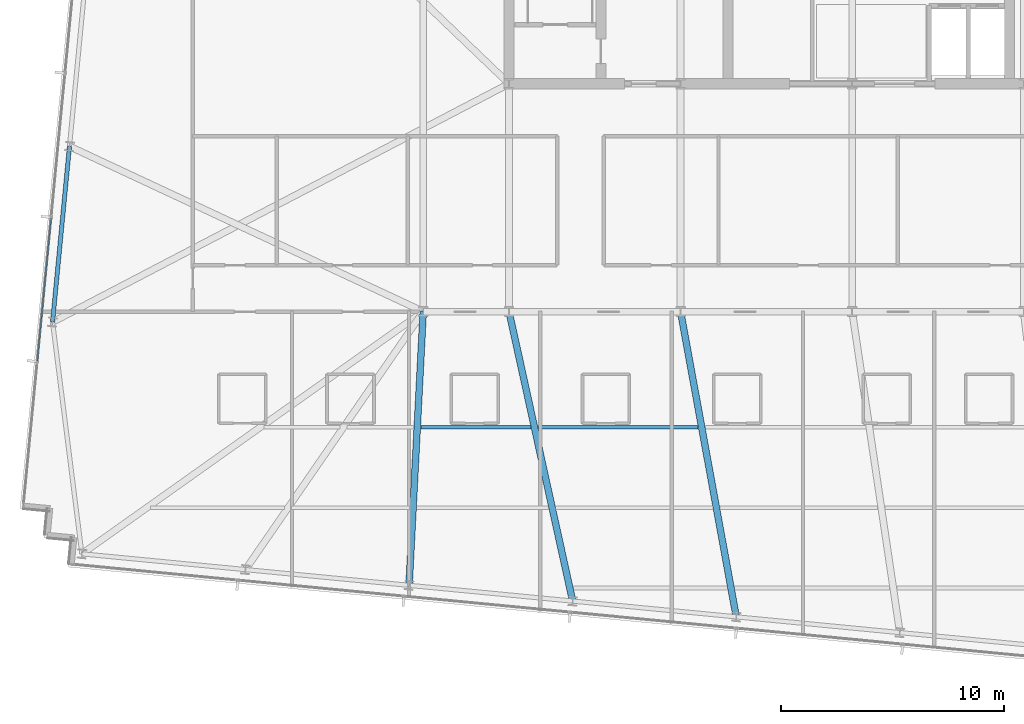
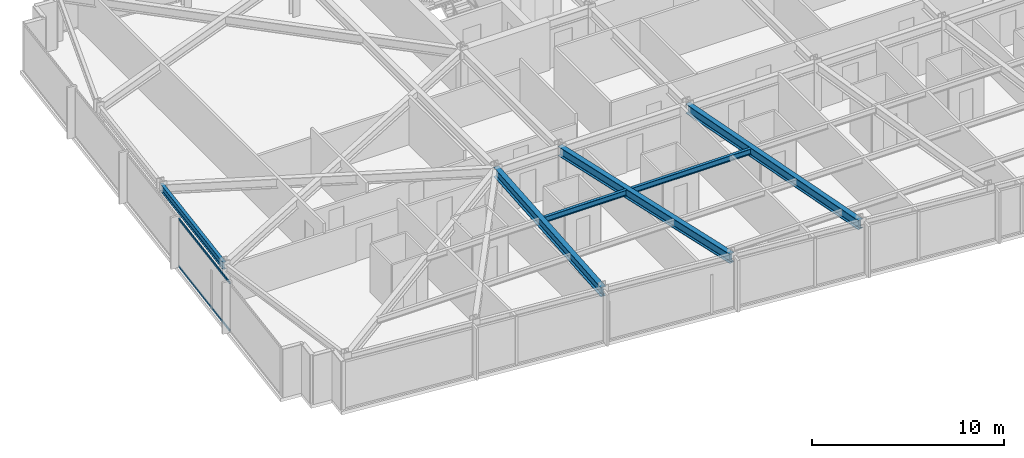
# One storey, part 7 of 38: 6 beams, 2 members, 1 element without a shape of its own.
"""IFC4 building model written with IfcOpenShell, lengths in metres."""

from ifc_helpers import new_model, si_unit, direction, frame, origin, origin_2d, place, context, subcontext, project, spatial, hollow_rectangle, i_section, extrude, material, material_profile, profile_set, type_object, element, aggregate, save


model = new_model("IFC4")

# Units and contexts
model_context = context("Model", 3, precision=1e-05, world=origin(), true_north=direction((0.0, 1.0)))
body_context = subcontext(model_context, "Body", "Model", "MODEL_VIEW")
ifc_project = project(units=[si_unit("LENGTHUNIT", "METRE"), si_unit("AREAUNIT", "SQUARE_METRE"), si_unit("VOLUMEUNIT", "CUBIC_METRE"), si_unit("PLANEANGLEUNIT", "RADIAN"), si_unit("MASSUNIT", "GRAM", prefix="KILO")], contexts=[model_context])

# Site, building, storey
site_placement = place(None, origin())
site = spatial("IfcSite", under=ifc_project, at=site_placement, CompositionType="ELEMENT")
building_placement = place(site_placement, origin())
building = spatial("IfcBuilding", under=site, at=building_placement, Name="Yelkora Congress Tower", CompositionType="ELEMENT")
storey_placement = place(building_placement, frame((0.0, 0.0, 155.60009765625)))
storey = spatial("IfcBuildingStorey", under=building, at=storey_placement, Name="L42", CompositionType="ELEMENT", Elevation=155.60009765625)

# Beams
ifc_material_1 = material(Name="Steel S355J2", Category="steel")
ifc_material_profile_1 = material_profile(ifc_material_1, i_section(OverallWidth=0.300048828125, OverallDepth=0.60009765625, WebThickness=0.015380859375, FlangeThickness=0.030029296875, FilletRadius=0.027099609375, at=origin_2d()), Name="HEB 600")
ifc_profile_set_1 = profile_set([ifc_material_profile_1], Name="Steel S355J2")
beam_type_1 = type_object("IfcBeamType", Name="BM-GIRD-HEB600", PredefinedType="BEAM", material=ifc_profile_set_1)
beam_1_placement = place(storey_placement, frame((18.56591796875, 12.947021484375, 2.77978515625), z_axis=(0.051676299428, 0.99866388744, 0.0), x_axis=(-0.99866388744, 0.051676299428, 0.0)))
element("IfcBeam", 1, at=beam_1_placement, inside=storey, type_object=beam_type_1, Name="L42 Primary Frame Girder S03", PredefinedType="BEAM", context=body_context, shape_type="SweptSolid", body=[
    extrude(i_section(OverallWidth=0.300048828125, OverallDepth=0.60009765625, WebThickness=0.015380859375, FlangeThickness=0.030029296875, FilletRadius=0.027099609375, at=origin_2d()), origin(), (0.0, 0.0, 1.0), 12.269287109375),
])
beam_2_placement = place(storey_placement, frame((25.888916015625, 12.24169921875, 2.77978515625), z_axis=(-0.214722420774, 0.976675115899, 0.0), x_axis=(-0.976675115899, -0.214722420774, 0.0)))
element("IfcBeam", 2, at=beam_2_placement, inside=storey, type_object=beam_type_1, Name="L42 Primary Frame Girder S04", PredefinedType="BEAM", context=body_context, shape_type="SweptSolid", body=[
    extrude(i_section(OverallWidth=0.300048828125, OverallDepth=0.60009765625, WebThickness=0.015380859375, FlangeThickness=0.030029296875, FilletRadius=0.027099609375, at=origin_2d()), origin(), (0.0, 0.0, 1.0), 13.267822265625),
])
beam_3_placement = place(storey_placement, frame((33.21240234375, 11.53662109375, 2.77978515625), z_axis=(-0.179456208566, 0.983765962619, 0.0), x_axis=(-0.983765962619, -0.179456208566, 0.0)))
element("IfcBeam", 3, at=beam_3_placement, inside=storey, type_object=beam_type_1, Name="L42 Primary Frame Girder S05", PredefinedType="BEAM", context=body_context, shape_type="SweptSolid", body=[
    extrude(i_section(OverallWidth=0.300048828125, OverallDepth=0.60009765625, WebThickness=0.015380859375, FlangeThickness=0.030029296875, FilletRadius=0.027099609375, at=origin_2d()), origin(), (0.0, 0.0, 1.0), 13.888916015625),
])
ifc_material_profile_2 = material_profile(ifc_material_1, i_section(OverallWidth=0.169921875, OverallDepth=0.360107421875, WebThickness=0.008056640625, FlangeThickness=0.0126953125, FilletRadius=0.01806640625, at=origin_2d()), Name="IPE 360")
ifc_profile_set_2 = profile_set([ifc_material_profile_2], Name="Steel S355J2")
beam_type_2 = type_object("IfcBeamType", Name="BM-JOIST-IPE360", PredefinedType="JOIST", material=ifc_profile_set_2)
beam_4_placement = place(storey_placement, frame((19.092041015625, 20.021240234375, 2.89990234375), z_axis=(1.0, 0.0, 0.0), x_axis=(0.0, 1.0, 0.0)))
element("IfcBeam", 4, at=beam_4_placement, inside=storey, type_object=beam_type_2, Name="L42 Composite Floor Joist 14", PredefinedType="JOIST", context=body_context, shape_type="SweptSolid", body=[
    extrude(i_section(OverallWidth=0.169921875, OverallDepth=0.360107421875, WebThickness=0.008056640625, FlangeThickness=0.0126953125, FilletRadius=0.01806640625, at=origin_2d()), origin(), (0.0, 0.0, 1.0), 4.926513671875),
])
beam_5_placement = place(storey_placement, frame((24.338623046875, 20.021240234375, 2.89990234375), z_axis=(1.0, 0.0, 0.0), x_axis=(0.0, 1.0, 0.0)))
element("IfcBeam", 5, at=beam_5_placement, inside=storey, type_object=beam_type_2, Name="L42 Composite Floor Joist 15", PredefinedType="JOIST", context=body_context, shape_type="SweptSolid", body=[
    extrude(i_section(OverallWidth=0.169921875, OverallDepth=0.360107421875, WebThickness=0.008056640625, FlangeThickness=0.0126953125, FilletRadius=0.01806640625, at=origin_2d()), origin(), (0.0, 0.0, 1.0), 7.166015625),
])
ifc_material_profile_3 = material_profile(ifc_material_1, i_section(OverallWidth=0.18994140625, OverallDepth=0.449951171875, WebThickness=0.009521484375, FlangeThickness=0.0146484375, FilletRadius=0.02099609375, at=origin_2d()), Name="IPE 450")
ifc_profile_set_3 = profile_set([ifc_material_profile_3], Name="Steel S355J2")
beam_type_3 = type_object("IfcBeamType", Name="BM-SPAN-IPE450", PredefinedType="SPANDREL", material=ifc_profile_set_3)
beam_6_placement = place(storey_placement, frame((3.364501953125, 32.594482421875, 2.85498046875), z_axis=(-0.095831353931, -0.995397584689, 0.0), x_axis=(0.995397584689, -0.095831353931, 0.0)))
element("IfcBeam", 6, at=beam_6_placement, inside=storey, type_object=beam_type_3, Name="L42 Perimeter Beam 18", PredefinedType="SPANDREL", context=body_context, shape_type="SweptSolid", body=[
    extrude(i_section(OverallWidth=0.18994140625, OverallDepth=0.449951171875, WebThickness=0.009521484375, FlangeThickness=0.0146484375, FilletRadius=0.02099609375, at=origin_2d()), origin(), (0.0, 0.0, 1.0), 7.900146484375),
])

# Curtain wall, members
ifc_material_2 = material(Name="Anodised aluminium and insulated glass", Category="aluminium")
curtain_wall_type = type_object("IfcCurtainWallType", Name="CW-SYS-B3", PredefinedType="NOTDEFINED", material=ifc_material_2)
curtain_wall_placement = place(storey_placement, origin())
curtain_wall = element("IfcCurtainWall", 7, at=curtain_wall_placement, inside=storey, type_object=curtain_wall_type, Name="L42 Unitised Curtain Wall 5", PredefinedType="NOTDEFINED")
ifc_material_3 = material(Name="Anodised aluminium 6063-T6", Category="aluminium")
ifc_material_profile_4 = material_profile(ifc_material_3, hollow_rectangle(XDim=0.06005859375, YDim=0.1298828125, WallThickness=0.00390625, at=origin_2d()), Name="ALU 60x130x4")
ifc_profile_set_4 = profile_set([ifc_material_profile_4], Name="Anodised aluminium 6063-T6")
member_type = type_object("IfcMemberType", Name="MEM-TR-B3", PredefinedType="USERDEFINED", material=ifc_profile_set_4)
member_1_placement = place(storey_placement, frame((1.92822265625, 22.996826171875, 0.02978515625), z_axis=(0.095843682057, 0.995396397728, 0.0), x_axis=(-0.995396397728, 0.095843682057, 0.0)))
member_1 = element("IfcMember", 8, at=member_1_placement, type_object=member_type, Name="CW-B3 transom 2.1", ObjectType="TRANSOM", PredefinedType="USERDEFINED", context=body_context, shape_type="SweptSolid", body=[
    extrude(hollow_rectangle(XDim=0.06005859375, YDim=0.1298828125, WallThickness=0.00390625, at=origin_2d()), origin(), (0.0, 0.0, 1.0), 6.4140625),
])
member_2_placement = place(storey_placement, frame((1.92822265625, 22.996826171875, 3.0498046875), z_axis=(0.095843682057, 0.995396397728, 0.0), x_axis=(-0.995396397728, 0.095843682057, 0.0)))
member_2 = element("IfcMember", 9, at=member_2_placement, type_object=member_type, Name="CW-B3 transom 2.2", ObjectType="TRANSOM", PredefinedType="USERDEFINED", context=body_context, shape_type="SweptSolid", body=[
    extrude(hollow_rectangle(XDim=0.06005859375, YDim=0.1298828125, WallThickness=0.00390625, at=origin_2d()), origin(), (0.0, 0.0, 1.0), 6.4140625),
])
aggregate(curtain_wall, [member_1, member_2])

save(model, "model.ifc")
